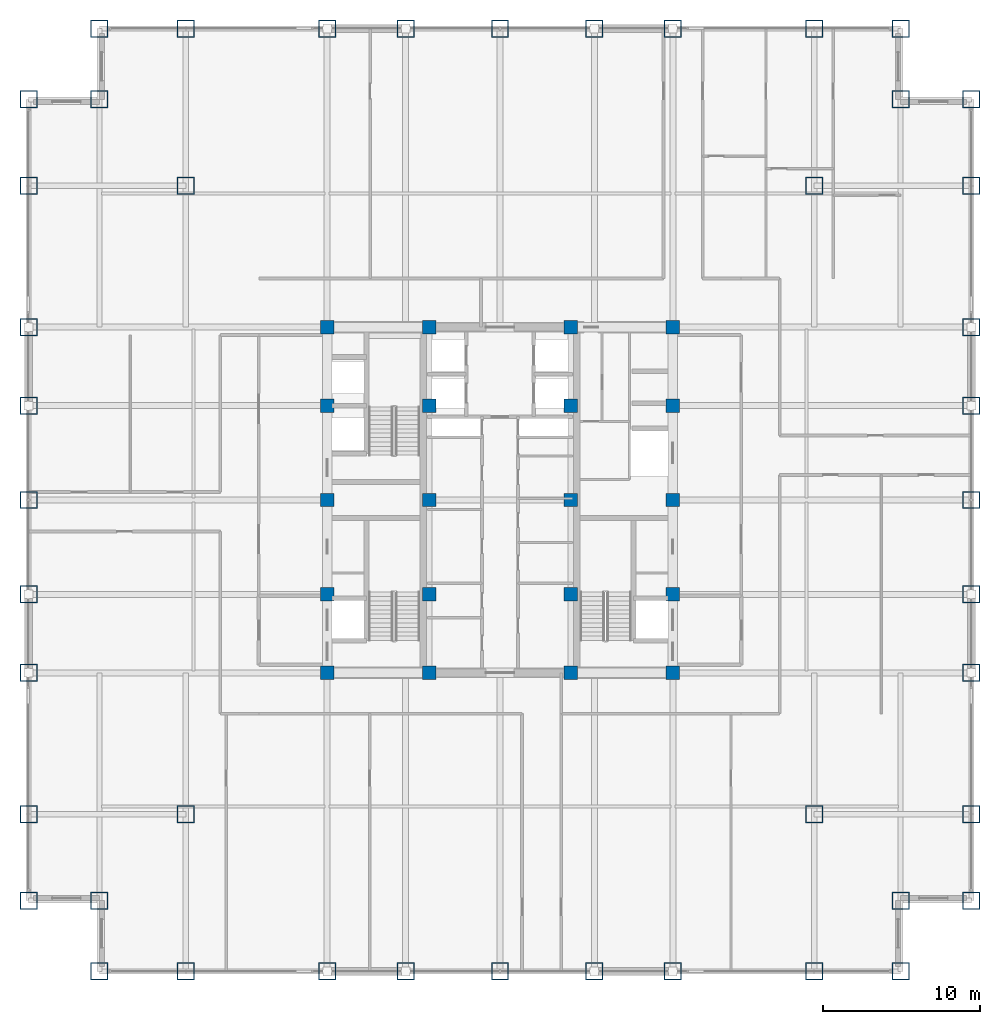
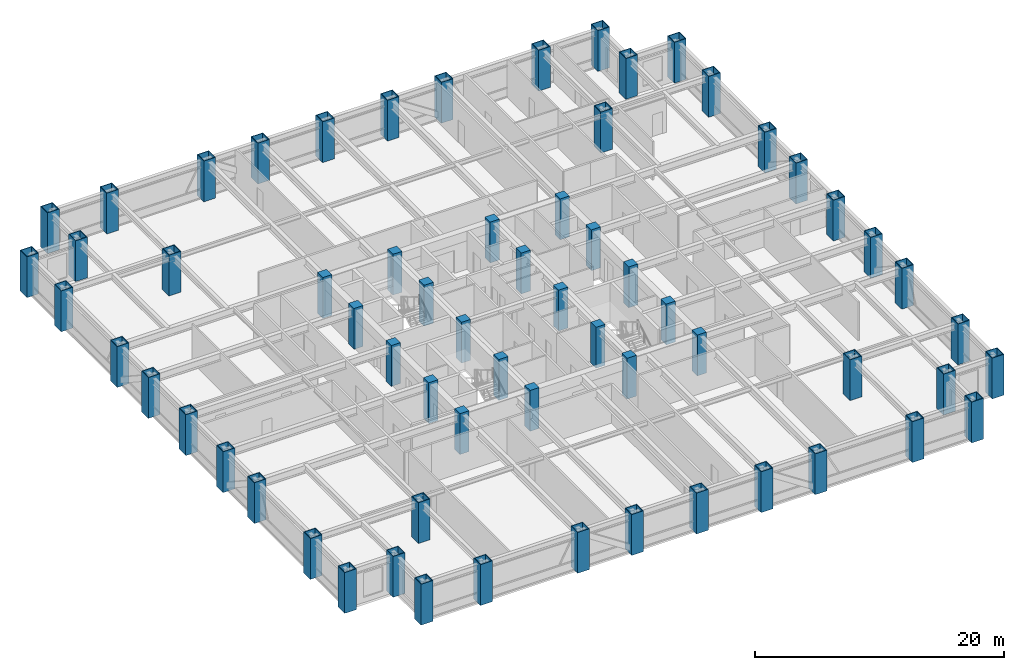
# One storey, part 1 of 24: 64 columns.
"""IFC4 building model written with IfcOpenShell, lengths in metres."""

import ifcopenshell
import ifcopenshell.guid

model = None  # the IFC model being written
_history = None  # IfcOwnerHistory: only IFC2X3 demands one
_inside = {}  # id of a spatial element -> (the spatial element, [elements in it])
_under = {}  # id of a project, library or spatial element -> (it, [spatial elements below it])
_declared = {}  # id of a project -> (the project, [libraries it declares])
_typed = {}  # id of a type object -> (the type object, [elements of that type])
_made_of = {}  # id of a material, layer set ... -> (it, [elements and type objects made of it])


def new_model(schema):
    """Start an empty IFC model of exactly this schema.

    Asked for "IFC4X3", IfcOpenShell would pick the latest addendum, in which some entities
    have other attributes; the version numbers below select the first issue.
    IFC2X3 requires an IfcOwnerHistory on every rooted entity: one is made here for all.
    """
    global model, _history
    if schema == "IFC4X3":
        model = ifcopenshell.file(schema_version=(4, 3, 0, 0))
    else:
        model = ifcopenshell.file(schema=schema)
    _inside.clear()
    _under.clear()
    _declared.clear()
    _typed.clear()
    _made_of.clear()
    _history = None
    if model.schema == "IFC2X3":
        org = make("IfcOrganization", Name="unknown")
        user = make(
            "IfcPersonAndOrganization",
            ThePerson=make("IfcPerson", FamilyName="unknown"),
            TheOrganization=org,
        )
        app = make(
            "IfcApplication",
            ApplicationDeveloper=org,
            Version="unknown",
            ApplicationFullName="unknown",
            ApplicationIdentifier="unknown",
        )
        _history = make(
            "IfcOwnerHistory",
            OwningUser=user,
            OwningApplication=app,
            ChangeAction="ADDED",
            CreationDate=0,
        )
    return model


def make(cls, **values):
    """One entity of the class cls with the attributes given. An attribute that is None is left unset."""
    return model.create_entity(
        cls, **{name: value for name, value in values.items() if value is not None}
    )


def rooted(cls, **values):
    """An entity with a GlobalId (a new one), such as an element, a storey or a relation."""
    return make(cls, GlobalId=ifcopenshell.guid.new(), OwnerHistory=_history, **values)


def si_unit(unit_type, name, prefix=None):
    """IfcSIUnit, for example si_unit("LENGTHUNIT", "METRE", prefix="MILLI")."""
    return make("IfcSIUnit", UnitType=unit_type, Prefix=prefix, Name=name)


def assignment(units):
    """IfcUnitAssignment: the units of a project."""
    return None if units is None else make("IfcUnitAssignment", Units=units)


def point(xyz):
    """IfcCartesianPoint."""
    return None if xyz is None else make("IfcCartesianPoint", Coordinates=xyz)


def direction(xyz):
    """IfcDirection."""
    return None if xyz is None else make("IfcDirection", DirectionRatios=xyz)


def frame(location, z_axis=None, x_axis=None):
    """IfcAxis2Placement3D, a coordinate frame: its origin and axes. An axis left out is left unset."""
    return make(
        "IfcAxis2Placement3D",
        Location=point(location),
        Axis=direction(z_axis),
        RefDirection=direction(x_axis),
    )


def frame_2d(location, x_axis=None):
    """IfcAxis2Placement2D, a coordinate frame in the plane: its origin and x axis."""
    return make(
        "IfcAxis2Placement2D", Location=point(location), RefDirection=direction(x_axis)
    )


def origin():
    """The frame at (0, 0, 0) with its axes left unset."""
    return frame((0.0, 0.0, 0.0))


def origin_2d():
    """The frame at (0, 0) in the plane with its x axis left unset."""
    return frame_2d((0.0, 0.0))


def place(relative_to, where):
    """IfcLocalPlacement: puts the frame where relative to a parent placement (None: the world)."""
    return make(
        "IfcLocalPlacement", PlacementRelTo=relative_to, RelativePlacement=where
    )


def context(
    kind, dimensions, precision=None, world=None, true_north=None, identifier=None
):
    """IfcGeometricRepresentationContext, for example the 3D "Model" context."""
    return make(
        "IfcGeometricRepresentationContext",
        ContextIdentifier=identifier,
        ContextType=kind,
        CoordinateSpaceDimension=dimensions,
        Precision=precision,
        WorldCoordinateSystem=world,
        TrueNorth=true_north,
    )


def subcontext(parent, identifier, kind, view, scale=None):
    """IfcGeometricRepresentationSubContext, for example "Body" below "Model"."""
    return make(
        "IfcGeometricRepresentationSubContext",
        ContextIdentifier=identifier,
        ContextType=kind,
        ParentContext=parent,
        TargetScale=scale,
        TargetView=view,
    )


def project(units=None, contexts=None):
    """IfcProject with its units and contexts."""
    return rooted(
        "IfcProject",
        Name="project",
        RepresentationContexts=contexts,
        UnitsInContext=assignment(units),
    )


def spatial(cls, under=None, at=None, **own):
    """A site, building, storey or space (cls), placed at a placement, below another one or the project."""
    s = rooted(cls, ObjectPlacement=at, **own)
    if under is not None:
        _under.setdefault(under.id(), (under, []))[1].append(s)
    return s


def profile(cls, at=None, kind="AREA", **sizes):
    """A parametric profile (cls). Its sizes go by their IFC names, for example OverallWidth=200.0."""
    return make(cls, ProfileType=kind, Position=at, **sizes)


def rectangle(**sizes):
    """IfcRectangleProfileDef."""
    return profile("IfcRectangleProfileDef", **sizes)


def hollow_rectangle(**sizes):
    """IfcRectangleHollowProfileDef."""
    return profile("IfcRectangleHollowProfileDef", **sizes)


def extrude(swept, where, along, depth):
    """IfcExtrudedAreaSolid: the profile swept, set in the frame where, extruded along a direction by depth."""
    return make(
        "IfcExtrudedAreaSolid",
        SweptArea=swept,
        Position=where,
        ExtrudedDirection=direction(along),
        Depth=depth,
    )


def shape(context_of_items, identifier, shape_type, items):
    """IfcShapeRepresentation: the items that make up one representation, for example the "Body"."""
    return make(
        "IfcShapeRepresentation",
        ContextOfItems=context_of_items,
        RepresentationIdentifier=identifier,
        RepresentationType=shape_type,
        Items=items,
    )


def source(mapping_origin, context_of_items, identifier, shape_type, items):
    """IfcRepresentationMap: a shape defined once, which mapped items show again and again."""
    return make(
        "IfcRepresentationMap",
        MappingOrigin=mapping_origin,
        MappedRepresentation=shape(context_of_items, identifier, shape_type, items),
    )


def transform(
    local_origin,
    x_axis=None,
    y_axis=None,
    z_axis=None,
    scale=None,
    scale2=None,
    scale3=None,
    uniform=True,
):
    """IfcCartesianTransformationOperator3D, or its non-uniform kind. x_axis, y_axis, z_axis: its Axis1, 2, 3."""
    if uniform:
        return make(
            "IfcCartesianTransformationOperator3D",
            Axis1=direction(x_axis),
            Axis2=direction(y_axis),
            LocalOrigin=point(local_origin),
            Scale=scale,
            Axis3=direction(z_axis),
        )
    return make(
        "IfcCartesianTransformationOperator3DnonUniform",
        Axis1=direction(x_axis),
        Axis2=direction(y_axis),
        LocalOrigin=point(local_origin),
        Scale=scale,
        Axis3=direction(z_axis),
        Scale2=scale2,
        Scale3=scale3,
    )


def mapped(mapping_source, mapping_target):
    """IfcMappedItem: shows the shape of a source again, moved by a transform."""
    return make(
        "IfcMappedItem", MappingSource=mapping_source, MappingTarget=mapping_target
    )


def material(Name=None, Category=None):
    """IfcMaterial."""
    return make("IfcMaterial", Name=Name, Category=Category)


def material_profile(
    of_material, cross_section, Name=None, Category=None, Priority=None
):
    """IfcMaterialProfile: a cross section and its material."""
    return make(
        "IfcMaterialProfile",
        Name=Name,
        Material=of_material,
        Profile=cross_section,
        Priority=Priority,
        Category=Category,
    )


def profile_set(profiles, Name=None, composite=None):
    """IfcMaterialProfileSet."""
    return make(
        "IfcMaterialProfileSet",
        Name=Name,
        MaterialProfiles=profiles,
        CompositeProfile=composite,
    )


def made_of(thing, what):
    """Note that an element or type object is made of a material, layer set ...; save() writes the relation."""
    if what is not None:
        _made_of.setdefault(what.id(), (what, []))[1].append(thing)
    return thing


def type_object(cls, material=None, **own):
    """A type object (cls), such as IfcWallType, which elements share."""
    return made_of(rooted(cls, **own), material)


def element(
    cls,
    number,
    at=None,
    inside=None,
    cuts=None,
    type_object=None,
    material=None,
    context=None,
    identifier="Body",
    shape_type=None,
    held_by="IfcProductDefinitionShape",
    body=None,
    shapes=None,
    **own,
):
    """One element of the class cls, such as IfcWall. Its Tag is "e" and its number.

    at: its placement. inside: the storey or other place that contains it. cuts: it is an
    opening in that element (IfcRelVoidsElement). A single representation is given by context,
    identifier, shape_type and body (its items); several are given by shapes. held_by: the class
    of the entity that holds the representations. save() writes the other relations.
    """
    e = rooted(cls, Tag="e%d" % number, ObjectPlacement=at, **own)
    if body is not None:
        shapes = [shape(context, identifier, shape_type, body)]
    if shapes is not None:
        e.Representation = make(held_by, Representations=shapes)
    if inside is not None:
        _inside.setdefault(inside.id(), (inside, []))[1].append(e)
    if cuts is not None:
        rooted(
            "IfcRelVoidsElement", RelatingBuildingElement=cuts, RelatedOpeningElement=e
        )
    if type_object is not None:
        _typed.setdefault(type_object.id(), (type_object, []))[1].append(e)
    return made_of(e, material)


def aggregate(whole, parts):
    """IfcRelAggregates: a whole, such as a stair, and the parts it consists of."""
    return rooted("IfcRelAggregates", RelatingObject=whole, RelatedObjects=parts)


def save(model, path):
    """Write the relations noted so far, then the file.

    IfcRelAggregates (storeys below a building ...), IfcRelContainedInSpatialStructure (elements
    in a storey), IfcRelDefinesByType, IfcRelAssociatesMaterial and IfcRelDeclares: one each for
    every whole, place, type object, material and project.
    """
    for whole, parts in _under.values():
        aggregate(whole, parts)
    for where, things in _inside.values():
        rooted(
            "IfcRelContainedInSpatialStructure",
            RelatedElements=things,
            RelatingStructure=where,
        )
    for kind, things in _typed.values():
        rooted("IfcRelDefinesByType", RelatedObjects=things, RelatingType=kind)
    for what, things in _made_of.values():
        rooted("IfcRelAssociatesMaterial", RelatedObjects=things, RelatingMaterial=what)
    for by, libraries in _declared.values():
        rooted("IfcRelDeclares", RelatingContext=by, RelatedDefinitions=libraries)
    model.write(path)


model = new_model("IFC4")

# Units and contexts
model_context = context("Model", 3, precision=1e-05, world=origin(), true_north=direction((0.0, 1.0)))
body_context = subcontext(model_context, "Body", "Model", "MODEL_VIEW")
ifc_project = project(units=[si_unit("LENGTHUNIT", "METRE"), si_unit("AREAUNIT", "SQUARE_METRE"), si_unit("VOLUMEUNIT", "CUBIC_METRE"), si_unit("PLANEANGLEUNIT", "RADIAN"), si_unit("MASSUNIT", "GRAM", prefix="KILO")], contexts=[model_context])

# Site, building, storey
site_placement = place(None, origin())
site = spatial("IfcSite", under=ifc_project, at=site_placement, CompositionType="ELEMENT")
building_placement = place(site_placement, origin())
building = spatial("IfcBuilding", under=site, at=building_placement, Name="Khorayat Bourse Tower", CompositionType="ELEMENT")
storey_placement = place(building_placement, frame((0.0, 0.0, 203.10009765625)))
storey = spatial("IfcBuildingStorey", under=building, at=storey_placement, Name="L47", CompositionType="ELEMENT", Elevation=203.10009765625)

# Columns
ifc_material_1 = material(Name="Steel EN 10025-4 S460M", Category="steel")
ifc_material_profile_1 = material_profile(ifc_material_1, hollow_rectangle(XDim=1.10009765625, YDim=1.10009765625, WallThickness=0.06005859375, at=origin_2d()), Name="BOX 1100x1100x60")
ifc_profile_set_1 = profile_set([ifc_material_profile_1], Name="Steel EN 10025-4 S460M")
column_type_1 = type_object("IfcColumnType", Name="COL-TUBE-1100", PredefinedType="COLUMN", material=ifc_profile_set_1)
shared_shape_1 = source(origin(), body_context, "Body", "SweptSolid", [
    extrude(hollow_rectangle(XDim=1.10009765625, YDim=1.10009765625, WallThickness=0.06005859375, at=origin_2d()), origin(), (0.0, 0.0, 1.0), 4.0),
])
for number, where, z_axis, x_axis, name in (
    (1, (-30.0, -25.5, 0.0), (0.0, 0.0, 1.0), (1.0, 0.0, 0.0), "L47 Column 001"),
    (2, (-30.0, -20.0, 0.0), (0.0, 0.0, 1.0), (1.0, 0.0, 0.0), "L47 Column 002"),
    (3, (-30.0, -11.0, 0.0), (0.0, 0.0, 1.0), (1.0, 0.0, 0.0), "L47 Column 003"),
    (4, (-30.0, -6.0, 0.0), (0.0, 0.0, 1.0), (1.0, 0.0, 0.0), "L47 Column 004"),
    (5, (-30.0, 0.0, 0.0), (0.0, 0.0, 1.0), (1.0, 0.0, 0.0), "L47 Column 005"),
    (6, (-30.0, 6.0, 0.0), (0.0, 0.0, 1.0), (1.0, 0.0, 0.0), "L47 Column 006"),
    (7, (-30.0, 11.0, 0.0), (0.0, 0.0, 1.0), (1.0, 0.0, 0.0), "L47 Column 007"),
    (8, (-30.0, 20.0, 0.0), (0.0, 0.0, 1.0), (1.0, 0.0, 0.0), "L47 Column 008"),
    (9, (-30.0, 25.5, 0.0), (0.0, 0.0, 1.0), (1.0, 0.0, 0.0), "L47 Column 009"),
    (10, (-25.5, -30.0, 0.0), (0.0, 0.0, 1.0), (1.0, 0.0, 0.0), "L47 Column 010"),
    (11, (-25.5, -25.5, 0.0), (0.0, 0.0, 1.0), (1.0, 0.0, 0.0), "L47 Column 011"),
    (12, (-25.5, 25.5, 0.0), (0.0, 0.0, 1.0), (1.0, 0.0, 0.0), "L47 Column 012"),
    (13, (-25.5, 30.0, 0.0), (0.0, 0.0, 1.0), (1.0, 0.0, 0.0), "L47 Column 013"),
    (14, (-20.0, -30.0, 0.0), (0.0, 0.0, 1.0), (1.0, 0.0, 0.0), "L47 Column 014"),
    (15, (-20.0, -20.0, 0.0), (0.0, 0.0, 1.0), (1.0, 0.0, 0.0), "L47 Column 015"),
    (16, (-20.0, 20.0, 0.0), (0.0, 0.0, 1.0), (1.0, 0.0, 0.0), "L47 Column 016"),
    (17, (-20.0, 30.0, 0.0), (0.0, 0.0, 1.0), (1.0, 0.0, 0.0), "L47 Column 017"),
    (18, (-11.0, -30.0, 0.0), (0.0, 0.0, 1.0), (1.0, 0.0, 0.0), "L47 Column 018"),
    (19, (-11.0, 30.0, 0.0), (0.0, 0.0, 1.0), (1.0, 0.0, 0.0), "L47 Column 024"),
    (20, (-6.0, -30.0, 0.0), (0.0, 0.0, 1.0), (1.0, 0.0, 0.0), "L47 Column 025"),
    (21, (-6.0, 30.0, 0.0), (0.0, 0.0, 1.0), (1.0, 0.0, 0.0), "L47 Column 026"),
    (22, (0.0, -30.0, 0.0), (0.0, 0.0, 1.0), (1.0, 0.0, 0.0), "L47 Column 032"),
    (23, (0.0, 30.0, 0.0), (0.0, 0.0, 1.0), (1.0, 0.0, 0.0), "L47 Column 033"),
    (24, (6.0, -30.0, 0.0), (0.0, 0.0, 1.0), (1.0, 0.0, 0.0), "L47 Column 039"),
    (25, (6.0, 30.0, 0.0), (0.0, 0.0, 1.0), (1.0, 0.0, 0.0), "L47 Column 040"),
    (26, (11.0, -30.0, 0.0), (0.0, 0.0, 1.0), (1.0, 0.0, 0.0), "L47 Column 041"),
    (27, (11.0, 30.0, 0.0), (0.0, 0.0, 1.0), (1.0, 0.0, 0.0), "L47 Column 047"),
    (28, (20.0, -30.0, 0.0), (0.0, 0.0, 1.0), (1.0, 0.0, 0.0), "L47 Column 048"),
    (29, (20.0, -20.0, 0.0), (0.0, 0.0, 1.0), (1.0, 0.0, 0.0), "L47 Column 049"),
    (30, (20.0, 20.0, 0.0), (0.0, 0.0, 1.0), (1.0, 0.0, 0.0), "L47 Column 050"),
    (31, (20.0, 30.0, 0.0), (0.0, 0.0, 1.0), (1.0, 0.0, 0.0), "L47 Column 051"),
    (32, (25.5, -30.0, 0.0), (0.0, 0.0, 1.0), (1.0, 0.0, 0.0), "L47 Column 052"),
    (33, (25.5, -25.5, 0.0), (0.0, 0.0, 1.0), (1.0, 0.0, 0.0), "L47 Column 053"),
    (34, (25.5, 25.5, 0.0), (0.0, 0.0, 1.0), (1.0, 0.0, 0.0), "L47 Column 054"),
    (35, (25.5, 30.0, 0.0), (0.0, 0.0, 1.0), (1.0, 0.0, 0.0), "L47 Column 055"),
    (36, (30.0, -25.5, 0.0), (0.0, 0.0, 1.0), (1.0, 0.0, 0.0), "L47 Column 056"),
    (37, (30.0, -20.0, 0.0), (0.0, 0.0, 1.0), (1.0, 0.0, 0.0), "L47 Column 057"),
    (38, (30.0, -11.0, 0.0), (0.0, 0.0, 1.0), (1.0, 0.0, 0.0), "L47 Column 058"),
    (39, (30.0, -6.0, 0.0), (0.0, 0.0, 1.0), (1.0, 0.0, 0.0), "L47 Column 059"),
    (40, (30.0, 0.0, 0.0), (0.0, 0.0, 1.0), (1.0, 0.0, 0.0), "L47 Column 060"),
    (41, (30.0, 6.0, 0.0), (0.0, 0.0, 1.0), (1.0, 0.0, 0.0), "L47 Column 061"),
    (42, (30.0, 11.0, 0.0), (0.0, 0.0, 1.0), (1.0, 0.0, 0.0), "L47 Column 062"),
    (43, (30.0, 20.0, 0.0), (0.0, 0.0, 1.0), (1.0, 0.0, 0.0), "L47 Column 063"),
    (44, (30.0, 25.5, 0.0), (0.0, 0.0, 1.0), (1.0, 0.0, 0.0), "L47 Column 064"),
):
    element("IfcColumn", number, at=place(storey_placement, frame(where, z_axis=z_axis, x_axis=x_axis)), inside=storey, type_object=column_type_1, Name=name, PredefinedType="COLUMN", context=body_context, shape_type="MappedRepresentation", body=[
        mapped(shared_shape_1, transform((0.0, 0.0, 0.0), scale=1.0)),
    ])
ifc_material_2 = material(Name="Concrete C60/75", Category="concrete")
ifc_material_profile_2 = material_profile(ifc_material_2, rectangle(XDim=0.85009765625, YDim=0.85009765625, at=origin_2d()), Name="RC 850x850")
ifc_profile_set_2 = profile_set([ifc_material_profile_2], Name="Concrete C60/75")
column_type_2 = type_object("IfcColumnType", Name="COL-CORE-850", PredefinedType="COLUMN", material=ifc_profile_set_2)
shared_shape_2 = source(origin(), body_context, "Body", "SweptSolid", [
    extrude(rectangle(XDim=0.85009765625, YDim=0.85009765625, at=origin_2d()), origin(), (0.0, 0.0, 1.0), 4.0),
])
for number, where, z_axis, x_axis, name in (
    (45, (-11.0, -11.0, 0.0), (0.0, 0.0, 1.0), (1.0, 0.0, 0.0), "L47 Column 019"),
    (46, (-11.0, -6.0, 0.0), (0.0, 0.0, 1.0), (1.0, 0.0, 0.0), "L47 Column 020"),
    (47, (-11.0, 0.0, 0.0), (0.0, 0.0, 1.0), (1.0, 0.0, 0.0), "L47 Column 021"),
    (48, (-11.0, 6.0, 0.0), (0.0, 0.0, 1.0), (1.0, 0.0, 0.0), "L47 Column 022"),
    (49, (-11.0, 11.0, 0.0), (0.0, 0.0, 1.0), (1.0, 0.0, 0.0), "L47 Column 023"),
    (50, (-4.5, -11.0, 0.0), (0.0, 0.0, 1.0), (1.0, 0.0, 0.0), "L47 Column 027"),
    (51, (-4.5, -6.0, 0.0), (0.0, 0.0, 1.0), (1.0, 0.0, 0.0), "L47 Column 028"),
    (52, (-4.5, 0.0, 0.0), (0.0, 0.0, 1.0), (1.0, 0.0, 0.0), "L47 Column 029"),
    (53, (-4.5, 6.0, 0.0), (0.0, 0.0, 1.0), (1.0, 0.0, 0.0), "L47 Column 030"),
    (54, (-4.5, 11.0, 0.0), (0.0, 0.0, 1.0), (1.0, 0.0, 0.0), "L47 Column 031"),
    (55, (4.5, -11.0, 0.0), (0.0, 0.0, 1.0), (1.0, 0.0, 0.0), "L47 Column 034"),
    (56, (4.5, -6.0, 0.0), (0.0, 0.0, 1.0), (1.0, 0.0, 0.0), "L47 Column 035"),
    (57, (4.5, 0.0, 0.0), (0.0, 0.0, 1.0), (1.0, 0.0, 0.0), "L47 Column 036"),
    (58, (4.5, 6.0, 0.0), (0.0, 0.0, 1.0), (1.0, 0.0, 0.0), "L47 Column 037"),
    (59, (4.5, 11.0, 0.0), (0.0, 0.0, 1.0), (1.0, 0.0, 0.0), "L47 Column 038"),
    (60, (11.0, -11.0, 0.0), (0.0, 0.0, 1.0), (1.0, 0.0, 0.0), "L47 Column 042"),
    (61, (11.0, -6.0, 0.0), (0.0, 0.0, 1.0), (1.0, 0.0, 0.0), "L47 Column 043"),
    (62, (11.0, 0.0, 0.0), (0.0, 0.0, 1.0), (1.0, 0.0, 0.0), "L47 Column 044"),
    (63, (11.0, 6.0, 0.0), (0.0, 0.0, 1.0), (1.0, 0.0, 0.0), "L47 Column 045"),
    (64, (11.0, 11.0, 0.0), (0.0, 0.0, 1.0), (1.0, 0.0, 0.0), "L47 Column 046"),
):
    element("IfcColumn", number, at=place(storey_placement, frame(where, z_axis=z_axis, x_axis=x_axis)), inside=storey, type_object=column_type_2, Name=name, PredefinedType="COLUMN", context=body_context, shape_type="MappedRepresentation", body=[
        mapped(shared_shape_2, transform((0.0, 0.0, 0.0), scale=1.0)),
    ])

save(model, "model.ifc")
